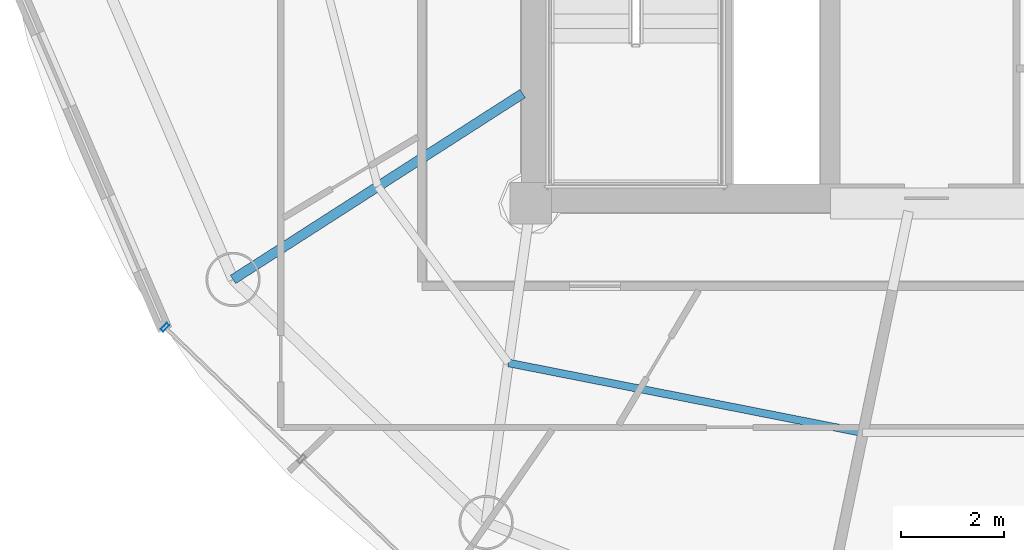
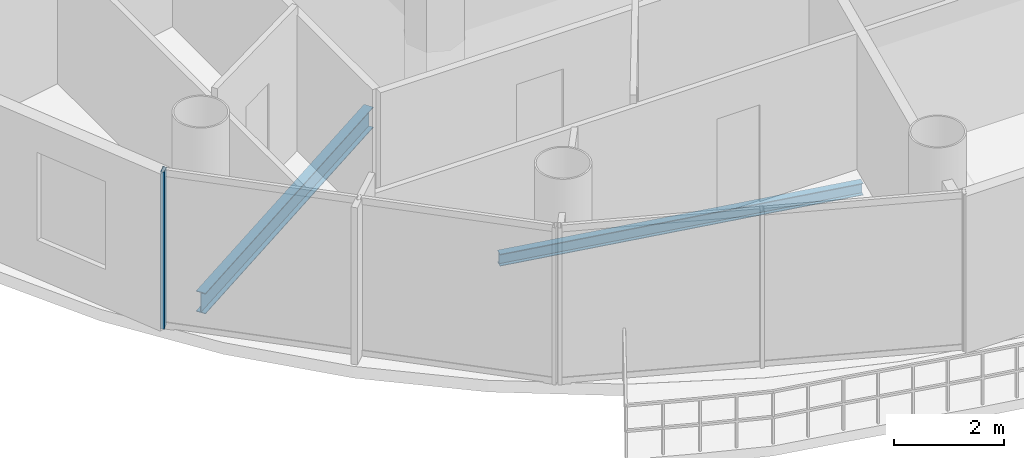
# One storey, part 3 of 23: 2 beams, 1 member, 1 element without a shape of its own.
"""IFC4 building model written with IfcOpenShell, lengths in metres."""

from ifc_helpers import new_model, si_unit, direction, frame, origin, origin_2d, place, context, subcontext, project, spatial, hollow_rectangle, i_section, extrude, source, transform, mapped, material, material_profile, profile_set, type_object, element, aggregate, save


model = new_model("IFC4")

# Units and contexts
model_context = context("Model", 3, precision=1e-05, world=origin(), true_north=direction((-0.2419218956, 0.970295726276)))
body_context = subcontext(model_context, "Body", "Model", "MODEL_VIEW")
ifc_project = project(units=[si_unit("LENGTHUNIT", "METRE"), si_unit("AREAUNIT", "SQUARE_METRE"), si_unit("VOLUMEUNIT", "CUBIC_METRE"), si_unit("PLANEANGLEUNIT", "RADIAN"), si_unit("MASSUNIT", "GRAM", prefix="KILO")], contexts=[model_context])

# Site, building, storey
site_placement = place(None, origin())
site = spatial("IfcSite", under=ifc_project, at=site_placement, CompositionType="ELEMENT")
building_placement = place(site_placement, origin())
building = spatial("IfcBuilding", under=site, at=building_placement, Name="Cobrevalo Terracotta Tower", CompositionType="ELEMENT")
storey_placement = place(building_placement, frame((0.0, 0.0, 255.699951171875)))
storey = spatial("IfcBuildingStorey", under=building, at=storey_placement, Name="L67", CompositionType="ELEMENT", Elevation=255.699951171875)

# Beams
ifc_material_1 = material(Name="Steel S355", Category="steel")
ifc_material_profile_1 = material_profile(ifc_material_1, i_section(OverallWidth=0.19091796875, OverallDepth=0.4599609375, WebThickness=0.010009765625, FlangeThickness=0.01611328125, at=origin_2d()), Name="W 460x82")
ifc_profile_set_1 = profile_set([ifc_material_profile_1], Name="Steel S355")
beam_type_1 = type_object("IfcBeamType", Name="Structural Beam W 460x82 (Steel S355)", PredefinedType="BEAM", material=ifc_profile_set_1)
beam_1_placement = place(storey_placement, frame((23.241455078125, 17.32763671875, -0.489990234375), z_axis=(0.84157615512, 0.540138477739, 0.0), x_axis=(-0.540138477739, 0.84157615512, 0.0)))
element("IfcBeam", 1, at=beam_1_placement, inside=storey, type_object=beam_type_1, Name="L67 radial floor girder 10", PredefinedType="BEAM", context=body_context, shape_type="SweptSolid", body=[
    extrude(i_section(OverallWidth=0.19091796875, OverallDepth=0.4599609375, WebThickness=0.010009765625, FlangeThickness=0.01611328125, at=origin_2d()), origin(), (0.0, 0.0, 1.0), 6.658447265625),
])
ifc_material_profile_2 = material_profile(ifc_material_1, i_section(OverallWidth=0.14794921875, OverallDepth=0.26611328125, WebThickness=0.007568359375, FlangeThickness=0.012939453125, at=origin_2d()), Name="W 250x44.8")
ifc_profile_set_2 = profile_set([ifc_material_profile_2], Name="Steel S355")
beam_type_2 = type_object("IfcBeamType", Name="Structural Joist W 250x44.8 (Steel S355)", PredefinedType="JOIST", material=ifc_profile_set_2)
beam_2_placement = place(storey_placement, frame((28.5693359375, 15.711669921875, -0.39306640625), z_axis=(0.981145060421, -0.193272787563, 0.0), x_axis=(0.193272787563, 0.981145060421, 0.0)))
element("IfcBeam", 2, at=beam_2_placement, inside=storey, type_object=beam_type_2, Name="L67 circumferential secondary floor joist 11", PredefinedType="JOIST", context=body_context, shape_type="SweptSolid", body=[
    extrude(i_section(OverallWidth=0.14794921875, OverallDepth=0.26611328125, WebThickness=0.007568359375, FlangeThickness=0.012939453125, at=origin_2d()), origin(), (0.0, 0.0, 1.0), 6.98681640625),
])

# Curtain wall, member
ifc_material_2 = material(Name="Anodized aluminium", Category="aluminium")
curtain_wall_type = type_object("IfcCurtainWallType", Name="Upper-tower triple-glazed penthouse curtain wall CW-U3", PredefinedType="NOTDEFINED", material=ifc_material_2)
curtain_wall_placement = place(storey_placement, origin())
curtain_wall = element("IfcCurtainWall", 3, at=curtain_wall_placement, inside=storey, type_object=curtain_wall_type, Name="L67 curtain wall CW-L67-S10", PredefinedType="NOTDEFINED")
ifc_material_profile_3 = material_profile(ifc_material_2, hollow_rectangle(XDim=0.070068359375, YDim=0.169921875, WallThickness=0.00439453125, at=origin_2d()), Name="CWM 70x170")
ifc_profile_set_3 = profile_set([ifc_material_profile_3], Name="Anodized aluminium")
member_type = type_object("IfcMemberType", Name="Upper tower unitised mullion 70x170", PredefinedType="MULLION", material=ifc_profile_set_3)
shared_shape = source(origin(), body_context, "Body", "SweptSolid", [
    extrude(hollow_rectangle(XDim=0.070068359375, YDim=0.169921875, WallThickness=0.00439453125, at=origin_2d()), origin(), (0.0, 0.0, 1.0), 3.489990234375),
])
member_placement = place(storey_placement, frame((21.92333984375, 16.399658203125, 0.0), z_axis=(0.0, 0.0, 1.0), x_axis=(0.71999418085, -0.69398010025, 0.0)))
member = element("IfcMember", 4, at=member_placement, type_object=member_type, Name="CW-L67-S10 vertical mullion 01", PredefinedType="MULLION", context=body_context, shape_type="MappedRepresentation", body=[
    mapped(shared_shape, transform((0.0, 0.0, 0.0), scale=1.0)),
])
aggregate(curtain_wall, [member])

save(model, "model.ifc")
